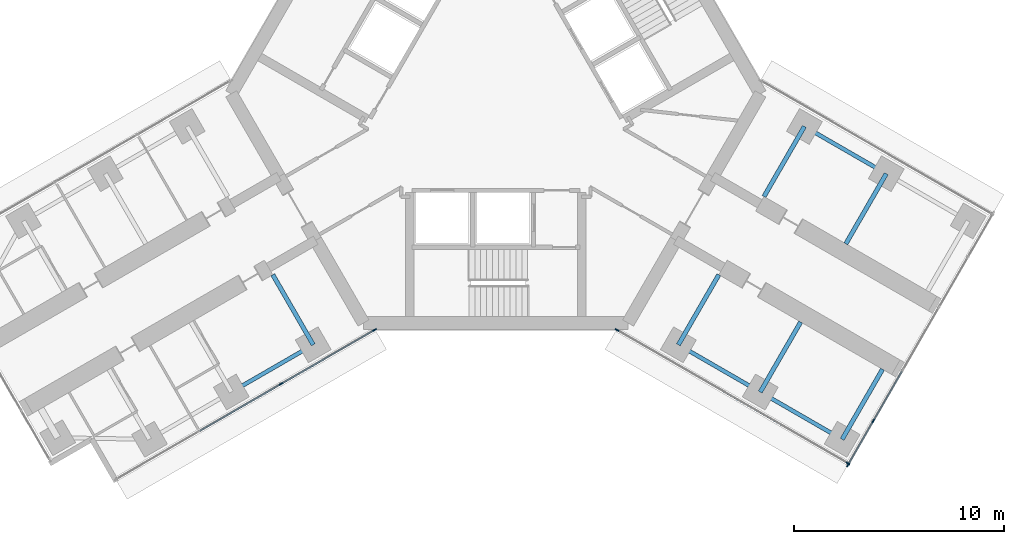
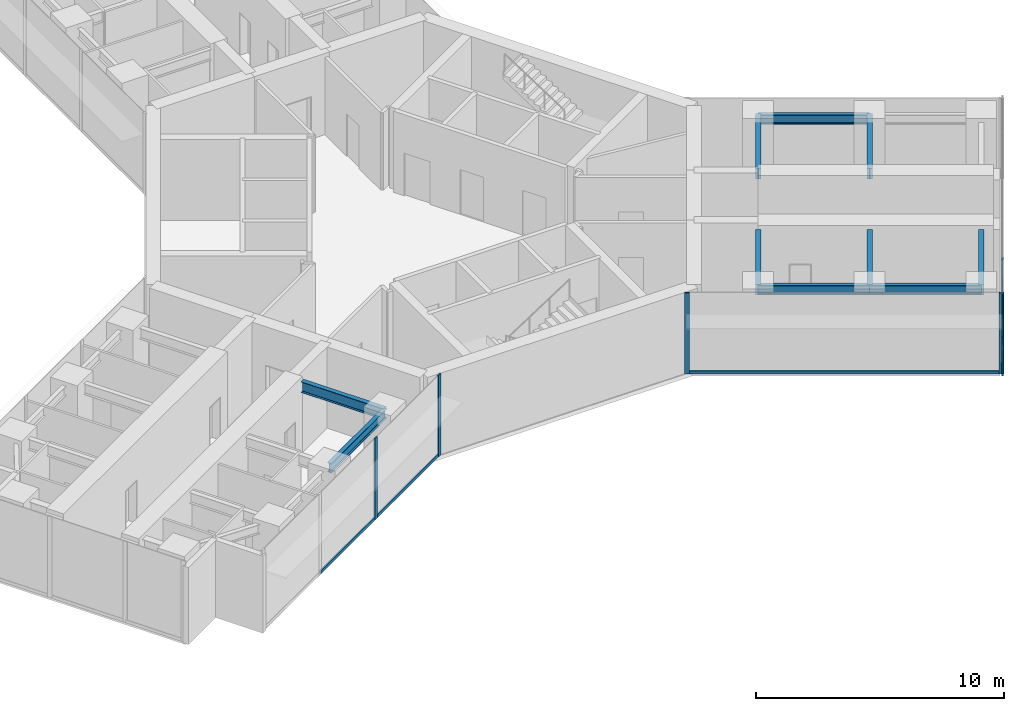
# One storey, part 8 of 23: 11 members, 10 beams, 3 elements without a shape of their own.
"""IFC4 building model written with IfcOpenShell, lengths in metres."""

from ifc_helpers import new_model, si_unit, direction, frame, origin, origin_2d, place, context, subcontext, project, spatial, rectangle, i_section, extrude, material, material_profile, profile_set, type_object, element, aggregate, save


model = new_model("IFC4")

# Units and contexts
model_context = context("Model", 3, precision=1e-05, world=origin(), true_north=direction((0.0, 1.0)))
body_context = subcontext(model_context, "Body", "Model", "MODEL_VIEW")
ifc_project = project(units=[si_unit("LENGTHUNIT", "METRE"), si_unit("AREAUNIT", "SQUARE_METRE"), si_unit("VOLUMEUNIT", "CUBIC_METRE"), si_unit("PLANEANGLEUNIT", "RADIAN"), si_unit("MASSUNIT", "GRAM", prefix="KILO")], contexts=[model_context])

# Site, building, storey
site_placement = place(None, origin())
site = spatial("IfcSite", under=ifc_project, at=site_placement, CompositionType="ELEMENT")
building_placement = place(site_placement, origin())
building = spatial("IfcBuilding", under=site, at=building_placement, Name="Upepo Twin Towers", CompositionType="ELEMENT")
storey_placement = place(building_placement, frame((0.0, 0.0, 153.5)))
storey = spatial("IfcBuildingStorey", under=building, at=storey_placement, Name="L37", CompositionType="ELEMENT", Elevation=153.5)

# Beams
ifc_material_1 = material(Name="Steel S355", Category="steel")
ifc_material_profile_1 = material_profile(ifc_material_1, i_section(OverallWidth=0.1904296875, OverallDepth=0.45703125, WebThickness=0.009033203125, FlangeThickness=0.014404296875, FilletRadius=0.01025390625, at=origin_2d()), Name="UB 457x191x74")
ifc_profile_set_1 = profile_set([ifc_material_profile_1], Name="Steel S355")
beam_type_1 = type_object("IfcBeamType", Name="Beam UB 457x191x74", PredefinedType="BEAM", material=ifc_profile_set_1)
for number, where, z_axis, x_axis, name in (
    (1, (49.80859375, -29.946044921875, 3.571533203125), (-0.866017533419, -0.500013631625, 0.0), (0.500013631625, -0.866017533419, 0.0), "T2 edge beam BL 13.5-18.0"),
    (2, (73.19140625, -19.553955078125, 3.571533203125), (0.866017533419, -0.500013631625, 0.0), (0.500013631625, 0.866017533419, 0.0), "T2 edge beam CL 13.5-18.0"),
    (3, (67.19140625, -29.946044921875, 3.571533203125), (0.866017533419, -0.500013631625, 0.0), (0.500013631625, 0.866017533419, 0.0), "T2 edge beam CR 13.5-18.0"),
):
    element("IfcBeam", number, at=place(storey_placement, frame(where, z_axis=z_axis, x_axis=x_axis)), inside=storey, type_object=beam_type_1, Name=name, PredefinedType="BEAM", context=body_context, shape_type="SweptSolid", body=[
        extrude(i_section(OverallWidth=0.1904296875, OverallDepth=0.45703125, WebThickness=0.009033203125, FlangeThickness=0.014404296875, FilletRadius=0.01025390625, at=origin_2d()), origin(), (0.0, 0.0, 1.0), 4.499755859375),
    ])
beam_1_placement = place(storey_placement, frame((71.08837890625, -32.196044921875, 3.571533203125), z_axis=(0.866031096941, -0.499990139034, 0.0), x_axis=(0.499990139034, 0.866031096941, 0.0)))
element("IfcBeam", 4, at=beam_1_placement, inside=storey, type_object=beam_type_1, Name="T2 edge beam CR 18.0-22.5", PredefinedType="BEAM", context=body_context, shape_type="SweptSolid", body=[
    extrude(i_section(OverallWidth=0.1904296875, OverallDepth=0.45703125, WebThickness=0.009033203125, FlangeThickness=0.014404296875, FilletRadius=0.01025390625, at=origin_2d()), origin(), (0.0, 0.0, 1.0), 4.5),
])
ifc_material_2 = material(Name="Steel S355", Category="steel")
ifc_material_profile_2 = material_profile(ifc_material_2, i_section(OverallWidth=0.209228515625, OverallDepth=0.533203125, WebThickness=0.010009765625, FlangeThickness=0.015625, FilletRadius=0.0126953125, at=origin_2d()), Name="UB 533x210x92")
ifc_profile_set_2 = profile_set([ifc_material_profile_2], Name="Steel S355")
beam_type_2 = type_object("IfcBeamType", Name="Beam UB 533x210x92", PredefinedType="BEAM", material=ifc_profile_set_2)
for number, where, z_axis, x_axis, name in (
    (5, (49.80859375, -29.946044921875, 3.533447265625), (-0.500033517596, 0.866006051527, 0.0), (-0.866006051527, -0.500033517596, 0.0), "T2 girder BL at 13.5"),
    (6, (73.19140625, -19.553955078125, 3.533447265625), (-0.500033517596, -0.866006051527, 0.0), (0.866006051527, -0.500033517596, 0.0), "T2 girder CL at 13.5"),
):
    element("IfcBeam", number, at=place(storey_placement, frame(where, z_axis=z_axis, x_axis=x_axis)), inside=storey, type_object=beam_type_2, Name=name, PredefinedType="BEAM", context=body_context, shape_type="SweptSolid", body=[
        extrude(i_section(OverallWidth=0.209228515625, OverallDepth=0.533203125, WebThickness=0.010009765625, FlangeThickness=0.015625, FilletRadius=0.0126953125, at=origin_2d()), origin(), (0.0, 0.0, 1.0), 3.849853515625),
    ])
beam_2_placement = place(storey_placement, frame((77.08837890625, -21.803955078125, 3.533447265625), z_axis=(-0.499985955615, -0.866033512162, 0.0), x_axis=(0.866033512162, -0.499985955615, 0.0)))
element("IfcBeam", 7, at=beam_2_placement, inside=storey, type_object=beam_type_2, Name="T2 girder CL at 18.0", PredefinedType="BEAM", context=body_context, shape_type="SweptSolid", body=[
    extrude(i_section(OverallWidth=0.209228515625, OverallDepth=0.533203125, WebThickness=0.010009765625, FlangeThickness=0.015625, FilletRadius=0.0126953125, at=origin_2d()), origin(), (0.0, 0.0, 1.0), 3.849609375),
])
for number, where, z_axis, x_axis, name in (
    (8, (67.19140625, -29.946044921875, 3.533447265625), (0.500033517596, 0.866006051527, 0.0), (-0.866006051527, 0.500033517596, 0.0), "T2 girder CR at 13.5"),
    (9, (71.08837890625, -32.196044921875, 3.533447265625), (0.500033517596, 0.866006051527, 0.0), (-0.866006051527, 0.500033517596, 0.0), "T2 girder CR at 18.0"),
    (10, (74.985595703125, -34.446044921875, 3.533447265625), (0.500033517596, 0.866006051527, 0.0), (-0.866006051527, 0.500033517596, 0.0), "T2 girder CR at 22.5"),
):
    element("IfcBeam", number, at=place(storey_placement, frame(where, z_axis=z_axis, x_axis=x_axis)), inside=storey, type_object=beam_type_2, Name=name, PredefinedType="BEAM", context=body_context, shape_type="SweptSolid", body=[
        extrude(i_section(OverallWidth=0.209228515625, OverallDepth=0.533203125, WebThickness=0.010009765625, FlangeThickness=0.015625, FilletRadius=0.0126953125, at=origin_2d()), origin(), (0.0, 0.0, 1.0), 3.849853515625),
    ])

# Curtain wall, members
ifc_material_3 = material(Name="Aluminium and fritted glass", Category="aluminium")
curtain_wall_type = type_object("IfcCurtainWallType", Name="Tower curtain wall TW2, fritted glass", PredefinedType="NOTDEFINED", material=ifc_material_3)
curtain_wall_1_placement = place(storey_placement, origin())
curtain_wall_1 = element("IfcCurtainWall", 11, at=curtain_wall_1_placement, inside=storey, type_object=curtain_wall_type, Name="T2 L37 wing B flank L curtain wall", PredefinedType="NOTDEFINED")
ifc_material_4 = material(Name="Aluminium mullion", Category="aluminium")
ifc_material_profile_3 = material_profile(ifc_material_4, rectangle(XDim=0.06494140625, YDim=0.199951171875, at=origin_2d()), Name="MULLION 65x200")
ifc_profile_set_3 = profile_set([ifc_material_profile_3], Name="Aluminium mullion")
member_type_1 = type_object("IfcMemberType", Name="Mullion 65x200 TW2", PredefinedType="MULLION", material=ifc_profile_set_3)
member_1_placement = place(storey_placement, frame((52.72802734375, -29.2421875, 0.0), z_axis=(0.0, 0.0, 1.0), x_axis=(0.500000010308, -0.866025397833, 0.0)))
member_1 = element("IfcMember", 12, at=member_1_placement, type_object=member_type_1, Name="T2 L37 wing B flank L curtain wall mullion 1", PredefinedType="MULLION", context=body_context, shape_type="SweptSolid", body=[
    extrude(rectangle(XDim=0.06494140625, YDim=0.199951171875, at=origin_2d()), origin(), (0.0, 0.0, 1.0), 4.0),
])
member_2_placement = place(storey_placement, frame((48.28515625, -31.807373046875, 0.0), z_axis=(0.0, 0.0, 1.0), x_axis=(0.500000010308, -0.866025397833, 0.0)))
member_2 = element("IfcMember", 13, at=member_2_placement, type_object=member_type_1, Name="T2 L37 wing B flank L curtain wall mullion 2", PredefinedType="MULLION", context=body_context, shape_type="SweptSolid", body=[
    extrude(rectangle(XDim=0.06494140625, YDim=0.199951171875, at=origin_2d()), origin(), (0.0, 0.0, 1.0), 4.0),
])

curtain_wall_2_placement = place(storey_placement, origin())
curtain_wall_2 = element("IfcCurtainWall", 14, at=curtain_wall_2_placement, inside=storey, type_object=curtain_wall_type, Name="T2 L37 wing C flank R curtain wall", PredefinedType="NOTDEFINED")
member_3_placement = place(storey_placement, frame((75.2685546875, -35.591064453125, 0.0), z_axis=(0.0, 0.0, 1.0), x_axis=(-0.50000000792, -0.866025399212, 0.0)))
member_3 = element("IfcMember", 15, at=member_3_placement, type_object=member_type_1, Name="T2 L37 wing C flank R curtain wall mullion 1", PredefinedType="MULLION", context=body_context, shape_type="SweptSolid", body=[
    extrude(rectangle(XDim=0.06494140625, YDim=0.199951171875, at=origin_2d()), origin(), (0.0, 0.0, 1.0), 4.0),
])
member_4_placement = place(storey_placement, frame((64.27197265625, -29.2421875, 0.0), z_axis=(0.0, 0.0, 1.0), x_axis=(-0.50000000792, -0.866025399212, 0.0)))
member_4 = element("IfcMember", 16, at=member_4_placement, type_object=member_type_1, Name="T2 L37 wing C flank R curtain wall mullion 2", PredefinedType="MULLION", context=body_context, shape_type="SweptSolid", body=[
    extrude(rectangle(XDim=0.06494140625, YDim=0.199951171875, at=origin_2d()), origin(), (0.0, 0.0, 1.0), 4.0),
])

curtain_wall_3_placement = place(storey_placement, origin())
curtain_wall_3 = element("IfcCurtainWall", 17, at=curtain_wall_3_placement, inside=storey, type_object=curtain_wall_type, Name="T2 L37 wing C nose curtain wall", PredefinedType="NOTDEFINED")
member_5_placement = place(storey_placement, frame((75.262939453125, -35.665771484375, 0.0), z_axis=(0.0, 0.0, 1.0), x_axis=(-0.866025419745, 0.499999972355, 0.0)))
member_5 = element("IfcMember", 18, at=member_5_placement, type_object=member_type_1, Name="T2 L37 wing C nose curtain wall mullion 1", PredefinedType="MULLION", context=body_context, shape_type="SweptSolid", body=[
    extrude(rectangle(XDim=0.06494140625, YDim=0.199951171875, at=origin_2d()), origin(), (0.0, 0.0, 1.0), 4.0),
])
member_6_placement = place(storey_placement, frame((76.4716796875, -33.572021484375, 0.0), z_axis=(0.0, 0.0, 1.0), x_axis=(-0.866025419745, 0.499999972355, 0.0)))
member_6 = element("IfcMember", 19, at=member_6_placement, type_object=member_type_1, Name="T2 L37 wing C nose curtain wall mullion 2", PredefinedType="MULLION", context=body_context, shape_type="SweptSolid", body=[
    extrude(rectangle(XDim=0.06494140625, YDim=0.199951171875, at=origin_2d()), origin(), (0.0, 0.0, 1.0), 4.0),
])

# Member
ifc_material_5 = material(Name="Aluminium transom", Category="aluminium")
ifc_material_profile_4 = material_profile(ifc_material_5, rectangle(XDim=0.06494140625, YDim=0.14990234375, at=origin_2d()), Name="TRANSOM 65x150")
ifc_profile_set_4 = profile_set([ifc_material_profile_4], Name="Aluminium transom")
member_type_2 = type_object("IfcMemberType", Name="Transom 65x150 TW2", PredefinedType="USERDEFINED", material=ifc_profile_set_4)
member_7_placement = place(storey_placement, frame((52.699951171875, -29.25830078125, 0.074951171875), z_axis=(-0.866021848223, -0.500006158363, 0.0), x_axis=(0.500006158363, -0.866021848223, 0.0)))
member_7 = element("IfcMember", 20, at=member_7_placement, type_object=member_type_2, Name="T2 L37 wing B flank L curtain wall transom 1", ObjectType="TRANSOM", PredefinedType="USERDEFINED", context=body_context, shape_type="SweptSolid", body=[
    extrude(rectangle(XDim=0.06494140625, YDim=0.14990234375, at=origin_2d()), origin(), (0.0, 0.0, 1.0), 5.0654296875),
])

member_8_placement = place(storey_placement, frame((48.2568359375, -31.823486328125, 0.074951171875), z_axis=(-0.866022410713, -0.500005184116, 0.0), x_axis=(0.500005184116, -0.866022410713, 0.0)))
member_8 = element("IfcMember", 21, at=member_8_placement, type_object=member_type_2, Name="T2 L37 wing B flank L curtain wall transom 2", ObjectType="TRANSOM", PredefinedType="USERDEFINED", context=body_context, shape_type="SweptSolid", body=[
    extrude(rectangle(XDim=0.06494140625, YDim=0.14990234375, at=origin_2d()), origin(), (0.0, 0.0, 1.0), 4.43505859375),
])

aggregate(curtain_wall_1, [member_1, member_2, member_7, member_8])

member_9_placement = place(storey_placement, frame((75.240478515625, -35.57470703125, 0.074951171875), z_axis=(-0.866027247007, 0.499996807431, 0.0), x_axis=(-0.499996807431, -0.866027247007, 0.0)))
member_9 = element("IfcMember", 22, at=member_9_placement, type_object=member_type_2, Name="T2 L37 wing C flank R curtain wall transom 1", ObjectType="TRANSOM", PredefinedType="USERDEFINED", context=body_context, shape_type="SweptSolid", body=[
    extrude(rectangle(XDim=0.06494140625, YDim=0.14990234375, at=origin_2d()), origin(), (0.0, 0.0, 1.0), 12.6328125),
])

aggregate(curtain_wall_2, [member_3, member_4, member_9])

member_10_placement = place(storey_placement, frame((75.279296875, -35.6376953125, 0.074951171875), z_axis=(0.499923095048, 0.866069800327, 0.0), x_axis=(-0.866069800327, 0.499923095048, 0.0)))
member_10 = element("IfcMember", 23, at=member_10_placement, type_object=member_type_2, Name="T2 L37 wing C nose curtain wall transom 1", ObjectType="TRANSOM", PredefinedType="USERDEFINED", context=body_context, shape_type="SweptSolid", body=[
    extrude(rectangle(XDim=0.06494140625, YDim=0.14990234375, at=origin_2d()), origin(), (0.0, 0.0, 1.0), 2.352294921875),
])

member_11_placement = place(storey_placement, frame((76.488037109375, -33.5439453125, 0.074951171875), z_axis=(0.49995335277, 0.8660523339, 0.0), x_axis=(-0.8660523339, 0.49995335277, 0.0)))
member_11 = element("IfcMember", 24, at=member_11_placement, type_object=member_type_2, Name="T2 L37 wing C nose curtain wall transom 2", ObjectType="TRANSOM", PredefinedType="USERDEFINED", context=body_context, shape_type="SweptSolid", body=[
    extrude(rectangle(XDim=0.06494140625, YDim=0.14990234375, at=origin_2d()), origin(), (0.0, 0.0, 1.0), 2.684814453125),
])

aggregate(curtain_wall_3, [member_5, member_6, member_10, member_11])

save(model, "model.ifc")
